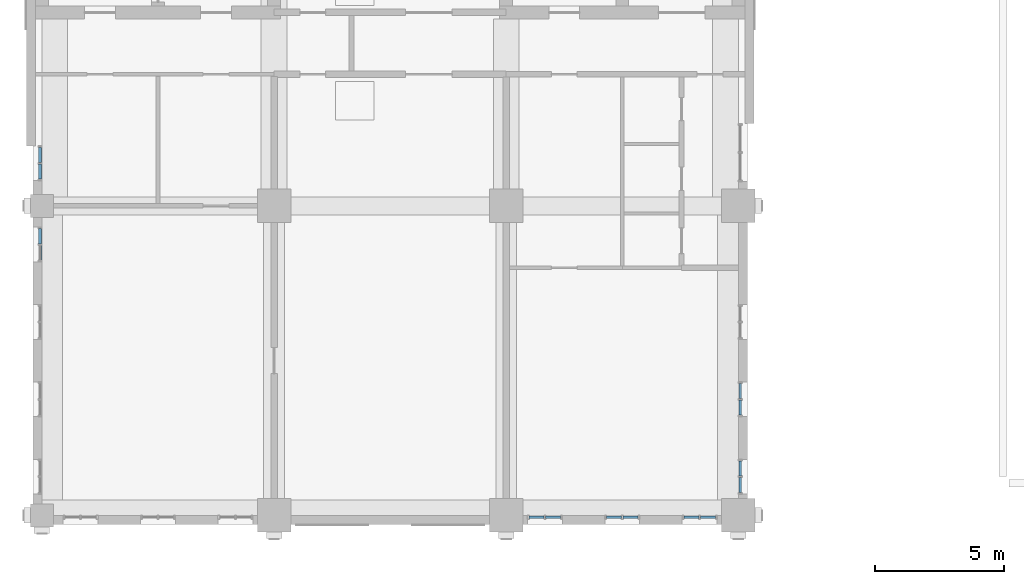
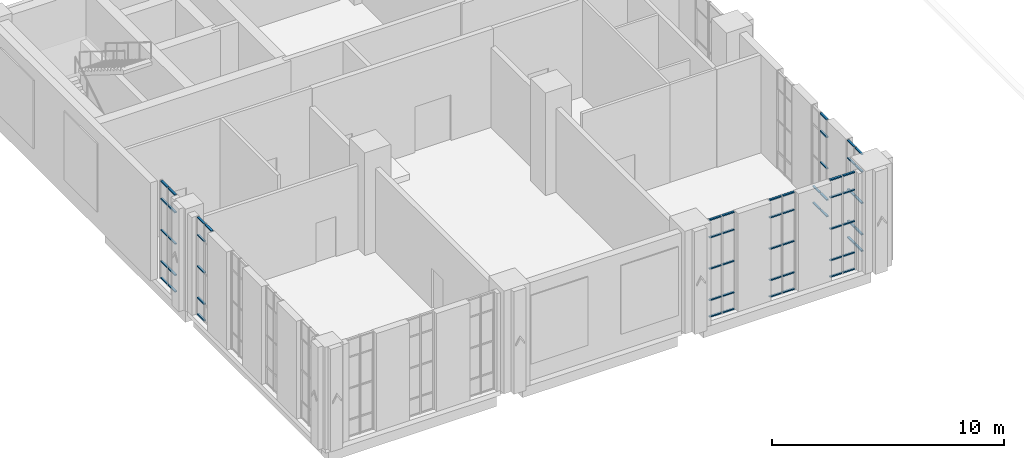
# One storey, part 10 of 37: 63 members, 7 elements without a shape of their own.
"""IFC4 building model written with IfcOpenShell, lengths in metres."""

from ifc_helpers import new_model, si_unit, direction, frame, origin, origin_2d, place, context, subcontext, project, spatial, rectangle, extrude, material, layer, layer_set, material_profile, profile_set, type_object, element, aggregate, save


model = new_model("IFC4")

# Units and contexts
model_context = context("Model", 3, precision=1e-05, world=origin(), true_north=direction((0.0, 1.0)))
body_context = subcontext(model_context, "Body", "Model", "MODEL_VIEW")
ifc_project = project(units=[si_unit("LENGTHUNIT", "METRE"), si_unit("AREAUNIT", "SQUARE_METRE"), si_unit("VOLUMEUNIT", "CUBIC_METRE"), si_unit("PLANEANGLEUNIT", "RADIAN"), si_unit("MASSUNIT", "GRAM", prefix="KILO")], contexts=[model_context])

# Site, building, storey
site_placement = place(None, origin())
site = spatial("IfcSite", under=ifc_project, at=site_placement, CompositionType="ELEMENT")
building_placement = place(site_placement, origin())
building = spatial("IfcBuilding", under=site, at=building_placement, Name="Aurelan Courthouse", CompositionType="ELEMENT")
storey_placement = place(building_placement, frame((0.0, 0.0, 17.39990234375)))
storey = spatial("IfcBuildingStorey", under=building, at=storey_placement, Name="L03", CompositionType="ELEMENT", Elevation=17.39990234375)

# Curtain wall, members
ifc_material_1 = material(Name="Bronze-finished aluminium and glass", Category="aluminium")
ifc_layer = layer(ifc_material_1, 0.14990234375)
ifc_layer_set = layer_set([ifc_layer], Name="Bronze-finished aluminium and glass")
curtain_wall_type = type_object("IfcCurtainWallType", Name="Curtain wall 1350 x 5150", PredefinedType="NOTDEFINED", material=ifc_layer_set)
curtain_wall_1_placement = place(storey_placement, origin())
curtain_wall_1 = element("IfcCurtainWall", 1, at=curtain_wall_1_placement, inside=storey, type_object=curtain_wall_type, Name="Curtain wall CW-V5-L03-S04", PredefinedType="NOTDEFINED")
ifc_material_2 = material(Name="Bronze-finished aluminium", Category="aluminium")
ifc_material_profile = material_profile(ifc_material_2, rectangle(XDim=0.10009765625, YDim=0.06005859375, at=origin_2d()), Name="Bronze transom 60 x 100")
ifc_profile_set = profile_set([ifc_material_profile], Name="Bronze-finished aluminium")
member_type = type_object("IfcMemberType", Name="Curtain wall transom 60 x 100", PredefinedType="USERDEFINED", material=ifc_profile_set)
member_1_placement = place(storey_placement, frame((18.885009765625, -0.074951171875, 0.030029296875), z_axis=(1.0, 0.0, 0.0), x_axis=(0.0, 1.0, 0.0)))
member_1 = element("IfcMember", 2, at=member_1_placement, type_object=member_type, Name="CW-V5-L03-S04 transom 1.1", ObjectType="TRANSOM", PredefinedType="USERDEFINED", context=body_context, shape_type="SweptSolid", body=[
    extrude(rectangle(XDim=0.10009765625, YDim=0.06005859375, at=origin_2d()), origin(), (0.0, 0.0, 1.0), 0.5849609375),
])
member_2_placement = place(storey_placement, frame((18.885009765625, -0.074951171875, 0.900146484375), z_axis=(1.0, 0.0, 0.0), x_axis=(0.0, 1.0, 0.0)))
member_2 = element("IfcMember", 3, at=member_2_placement, type_object=member_type, Name="CW-V5-L03-S04 transom 1.2", ObjectType="TRANSOM", PredefinedType="USERDEFINED", context=body_context, shape_type="SweptSolid", body=[
    extrude(rectangle(XDim=0.10009765625, YDim=0.06005859375, at=origin_2d()), origin(), (0.0, 0.0, 1.0), 0.5849609375),
])
member_3_placement = place(storey_placement, frame((18.885009765625, -0.074951171875, 2.550048828125), z_axis=(1.0, 0.0, 0.0), x_axis=(0.0, 1.0, 0.0)))
member_3 = element("IfcMember", 4, at=member_3_placement, type_object=member_type, Name="CW-V5-L03-S04 transom 1.3", ObjectType="TRANSOM", PredefinedType="USERDEFINED", context=body_context, shape_type="SweptSolid", body=[
    extrude(rectangle(XDim=0.10009765625, YDim=0.06005859375, at=origin_2d()), origin(), (0.0, 0.0, 1.0), 0.5849609375),
])
member_4_placement = place(storey_placement, frame((18.885009765625, -0.074951171875, 4.2001953125), z_axis=(1.0, 0.0, 0.0), x_axis=(0.0, 1.0, 0.0)))
member_4 = element("IfcMember", 5, at=member_4_placement, type_object=member_type, Name="CW-V5-L03-S04 transom 1.4", ObjectType="TRANSOM", PredefinedType="USERDEFINED", context=body_context, shape_type="SweptSolid", body=[
    extrude(rectangle(XDim=0.10009765625, YDim=0.06005859375, at=origin_2d()), origin(), (0.0, 0.0, 1.0), 0.5849609375),
])
member_5_placement = place(storey_placement, frame((18.885009765625, -0.074951171875, 5.1201171875), z_axis=(1.0, 0.0, 0.0), x_axis=(0.0, 1.0, 0.0)))
member_5 = element("IfcMember", 6, at=member_5_placement, type_object=member_type, Name="CW-V5-L03-S04 transom 1.5", ObjectType="TRANSOM", PredefinedType="USERDEFINED", context=body_context, shape_type="SweptSolid", body=[
    extrude(rectangle(XDim=0.10009765625, YDim=0.06005859375, at=origin_2d()), origin(), (0.0, 0.0, 1.0), 0.5849609375),
])
member_6_placement = place(storey_placement, frame((19.530029296875, -0.074951171875, 0.030029296875), z_axis=(1.0, 0.0, 0.0), x_axis=(0.0, 1.0, 0.0)))
member_6 = element("IfcMember", 7, at=member_6_placement, type_object=member_type, Name="CW-V5-L03-S04 transom 2.1", ObjectType="TRANSOM", PredefinedType="USERDEFINED", context=body_context, shape_type="SweptSolid", body=[
    extrude(rectangle(XDim=0.10009765625, YDim=0.06005859375, at=origin_2d()), origin(), (0.0, 0.0, 1.0), 0.5849609375),
])
member_7_placement = place(storey_placement, frame((19.530029296875, -0.074951171875, 0.900146484375), z_axis=(1.0, 0.0, 0.0), x_axis=(0.0, 1.0, 0.0)))
member_7 = element("IfcMember", 8, at=member_7_placement, type_object=member_type, Name="CW-V5-L03-S04 transom 2.2", ObjectType="TRANSOM", PredefinedType="USERDEFINED", context=body_context, shape_type="SweptSolid", body=[
    extrude(rectangle(XDim=0.10009765625, YDim=0.06005859375, at=origin_2d()), origin(), (0.0, 0.0, 1.0), 0.5849609375),
])
member_8_placement = place(storey_placement, frame((19.530029296875, -0.074951171875, 2.550048828125), z_axis=(1.0, 0.0, 0.0), x_axis=(0.0, 1.0, 0.0)))
member_8 = element("IfcMember", 9, at=member_8_placement, type_object=member_type, Name="CW-V5-L03-S04 transom 2.3", ObjectType="TRANSOM", PredefinedType="USERDEFINED", context=body_context, shape_type="SweptSolid", body=[
    extrude(rectangle(XDim=0.10009765625, YDim=0.06005859375, at=origin_2d()), origin(), (0.0, 0.0, 1.0), 0.5849609375),
])
member_9_placement = place(storey_placement, frame((19.530029296875, -0.074951171875, 4.2001953125), z_axis=(1.0, 0.0, 0.0), x_axis=(0.0, 1.0, 0.0)))
member_9 = element("IfcMember", 10, at=member_9_placement, type_object=member_type, Name="CW-V5-L03-S04 transom 2.4", ObjectType="TRANSOM", PredefinedType="USERDEFINED", context=body_context, shape_type="SweptSolid", body=[
    extrude(rectangle(XDim=0.10009765625, YDim=0.06005859375, at=origin_2d()), origin(), (0.0, 0.0, 1.0), 0.5849609375),
])
member_10_placement = place(storey_placement, frame((19.530029296875, -0.074951171875, 5.1201171875), z_axis=(1.0, 0.0, 0.0), x_axis=(0.0, 1.0, 0.0)))
member_10 = element("IfcMember", 11, at=member_10_placement, type_object=member_type, Name="CW-V5-L03-S04 transom 2.5", ObjectType="TRANSOM", PredefinedType="USERDEFINED", context=body_context, shape_type="SweptSolid", body=[
    extrude(rectangle(XDim=0.10009765625, YDim=0.06005859375, at=origin_2d()), origin(), (0.0, 0.0, 1.0), 0.5849609375),
])
aggregate(curtain_wall_1, [member_1, member_2, member_3, member_4, member_5, member_6, member_7, member_8, member_9, member_10])

curtain_wall_2_placement = place(storey_placement, origin())
curtain_wall_2 = element("IfcCurtainWall", 12, at=curtain_wall_2_placement, inside=storey, type_object=curtain_wall_type, Name="Curtain wall CW-V5-L03-S05", PredefinedType="NOTDEFINED")
member_11_placement = place(storey_placement, frame((21.885009765625, -0.074951171875, 0.030029296875), z_axis=(1.0, 0.0, 0.0), x_axis=(0.0, 1.0, 0.0)))
member_11 = element("IfcMember", 13, at=member_11_placement, type_object=member_type, Name="CW-V5-L03-S05 transom 1.1", ObjectType="TRANSOM", PredefinedType="USERDEFINED", context=body_context, shape_type="SweptSolid", body=[
    extrude(rectangle(XDim=0.10009765625, YDim=0.06005859375, at=origin_2d()), origin(), (0.0, 0.0, 1.0), 0.5849609375),
])
member_12_placement = place(storey_placement, frame((21.885009765625, -0.074951171875, 0.900146484375), z_axis=(1.0, 0.0, 0.0), x_axis=(0.0, 1.0, 0.0)))
member_12 = element("IfcMember", 14, at=member_12_placement, type_object=member_type, Name="CW-V5-L03-S05 transom 1.2", ObjectType="TRANSOM", PredefinedType="USERDEFINED", context=body_context, shape_type="SweptSolid", body=[
    extrude(rectangle(XDim=0.10009765625, YDim=0.06005859375, at=origin_2d()), origin(), (0.0, 0.0, 1.0), 0.5849609375),
])
member_13_placement = place(storey_placement, frame((21.885009765625, -0.074951171875, 2.550048828125), z_axis=(1.0, 0.0, 0.0), x_axis=(0.0, 1.0, 0.0)))
member_13 = element("IfcMember", 15, at=member_13_placement, type_object=member_type, Name="CW-V5-L03-S05 transom 1.3", ObjectType="TRANSOM", PredefinedType="USERDEFINED", context=body_context, shape_type="SweptSolid", body=[
    extrude(rectangle(XDim=0.10009765625, YDim=0.06005859375, at=origin_2d()), origin(), (0.0, 0.0, 1.0), 0.5849609375),
])
member_14_placement = place(storey_placement, frame((21.885009765625, -0.074951171875, 4.2001953125), z_axis=(1.0, 0.0, 0.0), x_axis=(0.0, 1.0, 0.0)))
member_14 = element("IfcMember", 16, at=member_14_placement, type_object=member_type, Name="CW-V5-L03-S05 transom 1.4", ObjectType="TRANSOM", PredefinedType="USERDEFINED", context=body_context, shape_type="SweptSolid", body=[
    extrude(rectangle(XDim=0.10009765625, YDim=0.06005859375, at=origin_2d()), origin(), (0.0, 0.0, 1.0), 0.5849609375),
])
member_15_placement = place(storey_placement, frame((21.885009765625, -0.074951171875, 5.1201171875), z_axis=(1.0, 0.0, 0.0), x_axis=(0.0, 1.0, 0.0)))
member_15 = element("IfcMember", 17, at=member_15_placement, type_object=member_type, Name="CW-V5-L03-S05 transom 1.5", ObjectType="TRANSOM", PredefinedType="USERDEFINED", context=body_context, shape_type="SweptSolid", body=[
    extrude(rectangle(XDim=0.10009765625, YDim=0.06005859375, at=origin_2d()), origin(), (0.0, 0.0, 1.0), 0.5849609375),
])
member_16_placement = place(storey_placement, frame((22.530029296875, -0.074951171875, 0.030029296875), z_axis=(1.0, 0.0, 0.0), x_axis=(0.0, 1.0, 0.0)))
member_16 = element("IfcMember", 18, at=member_16_placement, type_object=member_type, Name="CW-V5-L03-S05 transom 2.1", ObjectType="TRANSOM", PredefinedType="USERDEFINED", context=body_context, shape_type="SweptSolid", body=[
    extrude(rectangle(XDim=0.10009765625, YDim=0.06005859375, at=origin_2d()), origin(), (0.0, 0.0, 1.0), 0.5849609375),
])
member_17_placement = place(storey_placement, frame((22.530029296875, -0.074951171875, 0.900146484375), z_axis=(1.0, 0.0, 0.0), x_axis=(0.0, 1.0, 0.0)))
member_17 = element("IfcMember", 19, at=member_17_placement, type_object=member_type, Name="CW-V5-L03-S05 transom 2.2", ObjectType="TRANSOM", PredefinedType="USERDEFINED", context=body_context, shape_type="SweptSolid", body=[
    extrude(rectangle(XDim=0.10009765625, YDim=0.06005859375, at=origin_2d()), origin(), (0.0, 0.0, 1.0), 0.5849609375),
])
member_18_placement = place(storey_placement, frame((22.530029296875, -0.074951171875, 2.550048828125), z_axis=(1.0, 0.0, 0.0), x_axis=(0.0, 1.0, 0.0)))
member_18 = element("IfcMember", 20, at=member_18_placement, type_object=member_type, Name="CW-V5-L03-S05 transom 2.3", ObjectType="TRANSOM", PredefinedType="USERDEFINED", context=body_context, shape_type="SweptSolid", body=[
    extrude(rectangle(XDim=0.10009765625, YDim=0.06005859375, at=origin_2d()), origin(), (0.0, 0.0, 1.0), 0.5849609375),
])
member_19_placement = place(storey_placement, frame((22.530029296875, -0.074951171875, 4.2001953125), z_axis=(1.0, 0.0, 0.0), x_axis=(0.0, 1.0, 0.0)))
member_19 = element("IfcMember", 21, at=member_19_placement, type_object=member_type, Name="CW-V5-L03-S05 transom 2.4", ObjectType="TRANSOM", PredefinedType="USERDEFINED", context=body_context, shape_type="SweptSolid", body=[
    extrude(rectangle(XDim=0.10009765625, YDim=0.06005859375, at=origin_2d()), origin(), (0.0, 0.0, 1.0), 0.5849609375),
])
member_20_placement = place(storey_placement, frame((22.530029296875, -0.074951171875, 5.1201171875), z_axis=(1.0, 0.0, 0.0), x_axis=(0.0, 1.0, 0.0)))
member_20 = element("IfcMember", 22, at=member_20_placement, type_object=member_type, Name="CW-V5-L03-S05 transom 2.5", ObjectType="TRANSOM", PredefinedType="USERDEFINED", context=body_context, shape_type="SweptSolid", body=[
    extrude(rectangle(XDim=0.10009765625, YDim=0.06005859375, at=origin_2d()), origin(), (0.0, 0.0, 1.0), 0.5849609375),
])
aggregate(curtain_wall_2, [member_11, member_12, member_13, member_14, member_15, member_16, member_17, member_18, member_19, member_20])

curtain_wall_3_placement = place(storey_placement, origin())
curtain_wall_3 = element("IfcCurtainWall", 23, at=curtain_wall_3_placement, inside=storey, type_object=curtain_wall_type, Name="Curtain wall CW-V5-L03-S06", PredefinedType="NOTDEFINED")
member_21_placement = place(storey_placement, frame((24.885009765625, -0.074951171875, 0.030029296875), z_axis=(1.0, 0.0, 0.0), x_axis=(0.0, 1.0, 0.0)))
member_21 = element("IfcMember", 24, at=member_21_placement, type_object=member_type, Name="CW-V5-L03-S06 transom 1.1", ObjectType="TRANSOM", PredefinedType="USERDEFINED", context=body_context, shape_type="SweptSolid", body=[
    extrude(rectangle(XDim=0.10009765625, YDim=0.06005859375, at=origin_2d()), origin(), (0.0, 0.0, 1.0), 0.5849609375),
])
member_22_placement = place(storey_placement, frame((24.885009765625, -0.074951171875, 0.900146484375), z_axis=(1.0, 0.0, 0.0), x_axis=(0.0, 1.0, 0.0)))
member_22 = element("IfcMember", 25, at=member_22_placement, type_object=member_type, Name="CW-V5-L03-S06 transom 1.2", ObjectType="TRANSOM", PredefinedType="USERDEFINED", context=body_context, shape_type="SweptSolid", body=[
    extrude(rectangle(XDim=0.10009765625, YDim=0.06005859375, at=origin_2d()), origin(), (0.0, 0.0, 1.0), 0.5849609375),
])
member_23_placement = place(storey_placement, frame((24.885009765625, -0.074951171875, 2.550048828125), z_axis=(1.0, 0.0, 0.0), x_axis=(0.0, 1.0, 0.0)))
member_23 = element("IfcMember", 26, at=member_23_placement, type_object=member_type, Name="CW-V5-L03-S06 transom 1.3", ObjectType="TRANSOM", PredefinedType="USERDEFINED", context=body_context, shape_type="SweptSolid", body=[
    extrude(rectangle(XDim=0.10009765625, YDim=0.06005859375, at=origin_2d()), origin(), (0.0, 0.0, 1.0), 0.5849609375),
])
member_24_placement = place(storey_placement, frame((24.885009765625, -0.074951171875, 4.2001953125), z_axis=(1.0, 0.0, 0.0), x_axis=(0.0, 1.0, 0.0)))
member_24 = element("IfcMember", 27, at=member_24_placement, type_object=member_type, Name="CW-V5-L03-S06 transom 1.4", ObjectType="TRANSOM", PredefinedType="USERDEFINED", context=body_context, shape_type="SweptSolid", body=[
    extrude(rectangle(XDim=0.10009765625, YDim=0.06005859375, at=origin_2d()), origin(), (0.0, 0.0, 1.0), 0.5849609375),
])
member_25_placement = place(storey_placement, frame((24.885009765625, -0.074951171875, 5.1201171875), z_axis=(1.0, 0.0, 0.0), x_axis=(0.0, 1.0, 0.0)))
member_25 = element("IfcMember", 28, at=member_25_placement, type_object=member_type, Name="CW-V5-L03-S06 transom 1.5", ObjectType="TRANSOM", PredefinedType="USERDEFINED", context=body_context, shape_type="SweptSolid", body=[
    extrude(rectangle(XDim=0.10009765625, YDim=0.06005859375, at=origin_2d()), origin(), (0.0, 0.0, 1.0), 0.5849609375),
])
member_26_placement = place(storey_placement, frame((25.530029296875, -0.074951171875, 0.030029296875), z_axis=(1.0, 0.0, 0.0), x_axis=(0.0, 1.0, 0.0)))
member_26 = element("IfcMember", 29, at=member_26_placement, type_object=member_type, Name="CW-V5-L03-S06 transom 2.1", ObjectType="TRANSOM", PredefinedType="USERDEFINED", context=body_context, shape_type="SweptSolid", body=[
    extrude(rectangle(XDim=0.10009765625, YDim=0.06005859375, at=origin_2d()), origin(), (0.0, 0.0, 1.0), 0.5849609375),
])
member_27_placement = place(storey_placement, frame((25.530029296875, -0.074951171875, 0.900146484375), z_axis=(1.0, 0.0, 0.0), x_axis=(0.0, 1.0, 0.0)))
member_27 = element("IfcMember", 30, at=member_27_placement, type_object=member_type, Name="CW-V5-L03-S06 transom 2.2", ObjectType="TRANSOM", PredefinedType="USERDEFINED", context=body_context, shape_type="SweptSolid", body=[
    extrude(rectangle(XDim=0.10009765625, YDim=0.06005859375, at=origin_2d()), origin(), (0.0, 0.0, 1.0), 0.5849609375),
])
member_28_placement = place(storey_placement, frame((25.530029296875, -0.074951171875, 2.550048828125), z_axis=(1.0, 0.0, 0.0), x_axis=(0.0, 1.0, 0.0)))
member_28 = element("IfcMember", 31, at=member_28_placement, type_object=member_type, Name="CW-V5-L03-S06 transom 2.3", ObjectType="TRANSOM", PredefinedType="USERDEFINED", context=body_context, shape_type="SweptSolid", body=[
    extrude(rectangle(XDim=0.10009765625, YDim=0.06005859375, at=origin_2d()), origin(), (0.0, 0.0, 1.0), 0.5849609375),
])
member_29_placement = place(storey_placement, frame((25.530029296875, -0.074951171875, 4.2001953125), z_axis=(1.0, 0.0, 0.0), x_axis=(0.0, 1.0, 0.0)))
member_29 = element("IfcMember", 32, at=member_29_placement, type_object=member_type, Name="CW-V5-L03-S06 transom 2.4", ObjectType="TRANSOM", PredefinedType="USERDEFINED", context=body_context, shape_type="SweptSolid", body=[
    extrude(rectangle(XDim=0.10009765625, YDim=0.06005859375, at=origin_2d()), origin(), (0.0, 0.0, 1.0), 0.5849609375),
])
member_30_placement = place(storey_placement, frame((25.530029296875, -0.074951171875, 5.1201171875), z_axis=(1.0, 0.0, 0.0), x_axis=(0.0, 1.0, 0.0)))
member_30 = element("IfcMember", 33, at=member_30_placement, type_object=member_type, Name="CW-V5-L03-S06 transom 2.5", ObjectType="TRANSOM", PredefinedType="USERDEFINED", context=body_context, shape_type="SweptSolid", body=[
    extrude(rectangle(XDim=0.10009765625, YDim=0.06005859375, at=origin_2d()), origin(), (0.0, 0.0, 1.0), 0.5849609375),
])
aggregate(curtain_wall_3, [member_21, member_22, member_23, member_24, member_25, member_26, member_27, member_28, member_29, member_30])

curtain_wall_4_placement = place(storey_placement, origin())
curtain_wall_4 = element("IfcCurtainWall", 34, at=curtain_wall_4_placement, inside=storey, type_object=curtain_wall_type, Name="Curtain wall CW-V5-L03-E01", PredefinedType="NOTDEFINED")
member_31_placement = place(storey_placement, frame((27.074951171875, 0.885009765625, 0.030029296875), z_axis=(0.0, 1.0, 0.0), x_axis=(-1.0, 0.0, 0.0)))
member_31 = element("IfcMember", 35, at=member_31_placement, type_object=member_type, Name="CW-V5-L03-E01 transom 1.1", ObjectType="TRANSOM", PredefinedType="USERDEFINED", context=body_context, shape_type="SweptSolid", body=[
    extrude(rectangle(XDim=0.10009765625, YDim=0.06005859375, at=origin_2d()), origin(), (0.0, 0.0, 1.0), 0.5849609375),
])
member_32_placement = place(storey_placement, frame((27.074951171875, 0.885009765625, 0.900146484375), z_axis=(0.0, 1.0, 0.0), x_axis=(-1.0, 0.0, 0.0)))
member_32 = element("IfcMember", 36, at=member_32_placement, type_object=member_type, Name="CW-V5-L03-E01 transom 1.2", ObjectType="TRANSOM", PredefinedType="USERDEFINED", context=body_context, shape_type="SweptSolid", body=[
    extrude(rectangle(XDim=0.10009765625, YDim=0.06005859375, at=origin_2d()), origin(), (0.0, 0.0, 1.0), 0.5849609375),
])
member_33_placement = place(storey_placement, frame((27.074951171875, 0.885009765625, 2.550048828125), z_axis=(0.0, 1.0, 0.0), x_axis=(-1.0, 0.0, 0.0)))
member_33 = element("IfcMember", 37, at=member_33_placement, type_object=member_type, Name="CW-V5-L03-E01 transom 1.3", ObjectType="TRANSOM", PredefinedType="USERDEFINED", context=body_context, shape_type="SweptSolid", body=[
    extrude(rectangle(XDim=0.10009765625, YDim=0.06005859375, at=origin_2d()), origin(), (0.0, 0.0, 1.0), 0.5849609375),
])
member_34_placement = place(storey_placement, frame((27.074951171875, 0.885009765625, 4.2001953125), z_axis=(0.0, 1.0, 0.0), x_axis=(-1.0, 0.0, 0.0)))
member_34 = element("IfcMember", 38, at=member_34_placement, type_object=member_type, Name="CW-V5-L03-E01 transom 1.4", ObjectType="TRANSOM", PredefinedType="USERDEFINED", context=body_context, shape_type="SweptSolid", body=[
    extrude(rectangle(XDim=0.10009765625, YDim=0.06005859375, at=origin_2d()), origin(), (0.0, 0.0, 1.0), 0.5849609375),
])
member_35_placement = place(storey_placement, frame((27.074951171875, 0.885009765625, 5.1201171875), z_axis=(0.0, 1.0, 0.0), x_axis=(-1.0, 0.0, 0.0)))
member_35 = element("IfcMember", 39, at=member_35_placement, type_object=member_type, Name="CW-V5-L03-E01 transom 1.5", ObjectType="TRANSOM", PredefinedType="USERDEFINED", context=body_context, shape_type="SweptSolid", body=[
    extrude(rectangle(XDim=0.10009765625, YDim=0.06005859375, at=origin_2d()), origin(), (0.0, 0.0, 1.0), 0.5849609375),
])
member_36_placement = place(storey_placement, frame((27.074951171875, 1.530029296875, 0.030029296875), z_axis=(0.0, 1.0, 0.0), x_axis=(-1.0, 0.0, 0.0)))
member_36 = element("IfcMember", 40, at=member_36_placement, type_object=member_type, Name="CW-V5-L03-E01 transom 2.1", ObjectType="TRANSOM", PredefinedType="USERDEFINED", context=body_context, shape_type="SweptSolid", body=[
    extrude(rectangle(XDim=0.10009765625, YDim=0.06005859375, at=origin_2d()), origin(), (0.0, 0.0, 1.0), 0.5849609375),
])
member_37_placement = place(storey_placement, frame((27.074951171875, 1.530029296875, 0.900146484375), z_axis=(0.0, 1.0, 0.0), x_axis=(-1.0, 0.0, 0.0)))
member_37 = element("IfcMember", 41, at=member_37_placement, type_object=member_type, Name="CW-V5-L03-E01 transom 2.2", ObjectType="TRANSOM", PredefinedType="USERDEFINED", context=body_context, shape_type="SweptSolid", body=[
    extrude(rectangle(XDim=0.10009765625, YDim=0.06005859375, at=origin_2d()), origin(), (0.0, 0.0, 1.0), 0.5849609375),
])
member_38_placement = place(storey_placement, frame((27.074951171875, 1.530029296875, 2.550048828125), z_axis=(0.0, 1.0, 0.0), x_axis=(-1.0, 0.0, 0.0)))
member_38 = element("IfcMember", 42, at=member_38_placement, type_object=member_type, Name="CW-V5-L03-E01 transom 2.3", ObjectType="TRANSOM", PredefinedType="USERDEFINED", context=body_context, shape_type="SweptSolid", body=[
    extrude(rectangle(XDim=0.10009765625, YDim=0.06005859375, at=origin_2d()), origin(), (0.0, 0.0, 1.0), 0.5849609375),
])
member_39_placement = place(storey_placement, frame((27.074951171875, 1.530029296875, 4.2001953125), z_axis=(0.0, 1.0, 0.0), x_axis=(-1.0, 0.0, 0.0)))
member_39 = element("IfcMember", 43, at=member_39_placement, type_object=member_type, Name="CW-V5-L03-E01 transom 2.4", ObjectType="TRANSOM", PredefinedType="USERDEFINED", context=body_context, shape_type="SweptSolid", body=[
    extrude(rectangle(XDim=0.10009765625, YDim=0.06005859375, at=origin_2d()), origin(), (0.0, 0.0, 1.0), 0.5849609375),
])
member_40_placement = place(storey_placement, frame((27.074951171875, 1.530029296875, 5.1201171875), z_axis=(0.0, 1.0, 0.0), x_axis=(-1.0, 0.0, 0.0)))
member_40 = element("IfcMember", 44, at=member_40_placement, type_object=member_type, Name="CW-V5-L03-E01 transom 2.5", ObjectType="TRANSOM", PredefinedType="USERDEFINED", context=body_context, shape_type="SweptSolid", body=[
    extrude(rectangle(XDim=0.10009765625, YDim=0.06005859375, at=origin_2d()), origin(), (0.0, 0.0, 1.0), 0.5849609375),
])
aggregate(curtain_wall_4, [member_31, member_32, member_33, member_34, member_35, member_36, member_37, member_38, member_39, member_40])

curtain_wall_5_placement = place(storey_placement, origin())
curtain_wall_5 = element("IfcCurtainWall", 45, at=curtain_wall_5_placement, inside=storey, type_object=curtain_wall_type, Name="Curtain wall CW-V5-L03-E02", PredefinedType="NOTDEFINED")
member_41_placement = place(storey_placement, frame((27.074951171875, 3.885009765625, 0.030029296875), z_axis=(0.0, 1.0, 0.0), x_axis=(-1.0, 0.0, 0.0)))
member_41 = element("IfcMember", 46, at=member_41_placement, type_object=member_type, Name="CW-V5-L03-E02 transom 1.1", ObjectType="TRANSOM", PredefinedType="USERDEFINED", context=body_context, shape_type="SweptSolid", body=[
    extrude(rectangle(XDim=0.10009765625, YDim=0.06005859375, at=origin_2d()), origin(), (0.0, 0.0, 1.0), 0.5849609375),
])
member_42_placement = place(storey_placement, frame((27.074951171875, 3.885009765625, 0.900146484375), z_axis=(0.0, 1.0, 0.0), x_axis=(-1.0, 0.0, 0.0)))
member_42 = element("IfcMember", 47, at=member_42_placement, type_object=member_type, Name="CW-V5-L03-E02 transom 1.2", ObjectType="TRANSOM", PredefinedType="USERDEFINED", context=body_context, shape_type="SweptSolid", body=[
    extrude(rectangle(XDim=0.10009765625, YDim=0.06005859375, at=origin_2d()), origin(), (0.0, 0.0, 1.0), 0.5849609375),
])
member_43_placement = place(storey_placement, frame((27.074951171875, 3.885009765625, 2.550048828125), z_axis=(0.0, 1.0, 0.0), x_axis=(-1.0, 0.0, 0.0)))
member_43 = element("IfcMember", 48, at=member_43_placement, type_object=member_type, Name="CW-V5-L03-E02 transom 1.3", ObjectType="TRANSOM", PredefinedType="USERDEFINED", context=body_context, shape_type="SweptSolid", body=[
    extrude(rectangle(XDim=0.10009765625, YDim=0.06005859375, at=origin_2d()), origin(), (0.0, 0.0, 1.0), 0.5849609375),
])
member_44_placement = place(storey_placement, frame((27.074951171875, 3.885009765625, 4.2001953125), z_axis=(0.0, 1.0, 0.0), x_axis=(-1.0, 0.0, 0.0)))
member_44 = element("IfcMember", 49, at=member_44_placement, type_object=member_type, Name="CW-V5-L03-E02 transom 1.4", ObjectType="TRANSOM", PredefinedType="USERDEFINED", context=body_context, shape_type="SweptSolid", body=[
    extrude(rectangle(XDim=0.10009765625, YDim=0.06005859375, at=origin_2d()), origin(), (0.0, 0.0, 1.0), 0.5849609375),
])
member_45_placement = place(storey_placement, frame((27.074951171875, 3.885009765625, 5.1201171875), z_axis=(0.0, 1.0, 0.0), x_axis=(-1.0, 0.0, 0.0)))
member_45 = element("IfcMember", 50, at=member_45_placement, type_object=member_type, Name="CW-V5-L03-E02 transom 1.5", ObjectType="TRANSOM", PredefinedType="USERDEFINED", context=body_context, shape_type="SweptSolid", body=[
    extrude(rectangle(XDim=0.10009765625, YDim=0.06005859375, at=origin_2d()), origin(), (0.0, 0.0, 1.0), 0.5849609375),
])
member_46_placement = place(storey_placement, frame((27.074951171875, 4.530029296875, 0.030029296875), z_axis=(0.0, 1.0, 0.0), x_axis=(-1.0, 0.0, 0.0)))
member_46 = element("IfcMember", 51, at=member_46_placement, type_object=member_type, Name="CW-V5-L03-E02 transom 2.1", ObjectType="TRANSOM", PredefinedType="USERDEFINED", context=body_context, shape_type="SweptSolid", body=[
    extrude(rectangle(XDim=0.10009765625, YDim=0.06005859375, at=origin_2d()), origin(), (0.0, 0.0, 1.0), 0.5849609375),
])
member_47_placement = place(storey_placement, frame((27.074951171875, 4.530029296875, 0.900146484375), z_axis=(0.0, 1.0, 0.0), x_axis=(-1.0, 0.0, 0.0)))
member_47 = element("IfcMember", 52, at=member_47_placement, type_object=member_type, Name="CW-V5-L03-E02 transom 2.2", ObjectType="TRANSOM", PredefinedType="USERDEFINED", context=body_context, shape_type="SweptSolid", body=[
    extrude(rectangle(XDim=0.10009765625, YDim=0.06005859375, at=origin_2d()), origin(), (0.0, 0.0, 1.0), 0.5849609375),
])
aggregate(curtain_wall_5, [member_41, member_42, member_43, member_44, member_45, member_46, member_47])

curtain_wall_6_placement = place(storey_placement, origin())
curtain_wall_6 = element("IfcCurtainWall", 53, at=curtain_wall_6_placement, inside=storey, type_object=curtain_wall_type, Name="Curtain wall CW-V5-L03-W04", PredefinedType="NOTDEFINED")
member_48_placement = place(storey_placement, frame((-0.074951171875, 9.885009765625, 5.1201171875), z_axis=(0.0, 1.0, 0.0), x_axis=(-1.0, 0.0, 0.0)))
member_48 = element("IfcMember", 54, at=member_48_placement, type_object=member_type, Name="CW-V5-L03-W04 transom 1.5", ObjectType="TRANSOM", PredefinedType="USERDEFINED", context=body_context, shape_type="SweptSolid", body=[
    extrude(rectangle(XDim=0.10009765625, YDim=0.06005859375, at=origin_2d()), origin(), (0.0, 0.0, 1.0), 0.5849609375),
])
member_49_placement = place(storey_placement, frame((-0.074951171875, 10.530029296875, 0.030029296875), z_axis=(0.0, 1.0, 0.0), x_axis=(-1.0, 0.0, 0.0)))
member_49 = element("IfcMember", 55, at=member_49_placement, type_object=member_type, Name="CW-V5-L03-W04 transom 2.1", ObjectType="TRANSOM", PredefinedType="USERDEFINED", context=body_context, shape_type="SweptSolid", body=[
    extrude(rectangle(XDim=0.10009765625, YDim=0.06005859375, at=origin_2d()), origin(), (0.0, 0.0, 1.0), 0.5849609375),
])
member_50_placement = place(storey_placement, frame((-0.074951171875, 10.530029296875, 0.900146484375), z_axis=(0.0, 1.0, 0.0), x_axis=(-1.0, 0.0, 0.0)))
member_50 = element("IfcMember", 56, at=member_50_placement, type_object=member_type, Name="CW-V5-L03-W04 transom 2.2", ObjectType="TRANSOM", PredefinedType="USERDEFINED", context=body_context, shape_type="SweptSolid", body=[
    extrude(rectangle(XDim=0.10009765625, YDim=0.06005859375, at=origin_2d()), origin(), (0.0, 0.0, 1.0), 0.5849609375),
])
member_51_placement = place(storey_placement, frame((-0.074951171875, 10.530029296875, 2.550048828125), z_axis=(0.0, 1.0, 0.0), x_axis=(-1.0, 0.0, 0.0)))
member_51 = element("IfcMember", 57, at=member_51_placement, type_object=member_type, Name="CW-V5-L03-W04 transom 2.3", ObjectType="TRANSOM", PredefinedType="USERDEFINED", context=body_context, shape_type="SweptSolid", body=[
    extrude(rectangle(XDim=0.10009765625, YDim=0.06005859375, at=origin_2d()), origin(), (0.0, 0.0, 1.0), 0.5849609375),
])
member_52_placement = place(storey_placement, frame((-0.074951171875, 10.530029296875, 4.2001953125), z_axis=(0.0, 1.0, 0.0), x_axis=(-1.0, 0.0, 0.0)))
member_52 = element("IfcMember", 58, at=member_52_placement, type_object=member_type, Name="CW-V5-L03-W04 transom 2.4", ObjectType="TRANSOM", PredefinedType="USERDEFINED", context=body_context, shape_type="SweptSolid", body=[
    extrude(rectangle(XDim=0.10009765625, YDim=0.06005859375, at=origin_2d()), origin(), (0.0, 0.0, 1.0), 0.5849609375),
])
member_53_placement = place(storey_placement, frame((-0.074951171875, 10.530029296875, 5.1201171875), z_axis=(0.0, 1.0, 0.0), x_axis=(-1.0, 0.0, 0.0)))
member_53 = element("IfcMember", 59, at=member_53_placement, type_object=member_type, Name="CW-V5-L03-W04 transom 2.5", ObjectType="TRANSOM", PredefinedType="USERDEFINED", context=body_context, shape_type="SweptSolid", body=[
    extrude(rectangle(XDim=0.10009765625, YDim=0.06005859375, at=origin_2d()), origin(), (0.0, 0.0, 1.0), 0.5849609375),
])
aggregate(curtain_wall_6, [member_48, member_49, member_50, member_51, member_52, member_53])

curtain_wall_7_placement = place(storey_placement, origin())
curtain_wall_7 = element("IfcCurtainWall", 60, at=curtain_wall_7_placement, inside=storey, type_object=curtain_wall_type, Name="Curtain wall CW-V5-L03-W05", PredefinedType="NOTDEFINED")
member_54_placement = place(storey_placement, frame((-0.074951171875, 13.034912109375, 0.030029296875), z_axis=(0.0, 1.0, 0.0), x_axis=(-1.0, 0.0, 0.0)))
member_54 = element("IfcMember", 61, at=member_54_placement, type_object=member_type, Name="CW-V5-L03-W05 transom 1.1", ObjectType="TRANSOM", PredefinedType="USERDEFINED", context=body_context, shape_type="SweptSolid", body=[
    extrude(rectangle(XDim=0.10009765625, YDim=0.06005859375, at=origin_2d()), origin(), (0.0, 0.0, 1.0), 0.585205078125),
])
member_55_placement = place(storey_placement, frame((-0.074951171875, 13.034912109375, 0.900146484375), z_axis=(0.0, 1.0, 0.0), x_axis=(-1.0, 0.0, 0.0)))
member_55 = element("IfcMember", 62, at=member_55_placement, type_object=member_type, Name="CW-V5-L03-W05 transom 1.2", ObjectType="TRANSOM", PredefinedType="USERDEFINED", context=body_context, shape_type="SweptSolid", body=[
    extrude(rectangle(XDim=0.10009765625, YDim=0.06005859375, at=origin_2d()), origin(), (0.0, 0.0, 1.0), 0.585205078125),
])
member_56_placement = place(storey_placement, frame((-0.074951171875, 13.034912109375, 2.550048828125), z_axis=(0.0, 1.0, 0.0), x_axis=(-1.0, 0.0, 0.0)))
member_56 = element("IfcMember", 63, at=member_56_placement, type_object=member_type, Name="CW-V5-L03-W05 transom 1.3", ObjectType="TRANSOM", PredefinedType="USERDEFINED", context=body_context, shape_type="SweptSolid", body=[
    extrude(rectangle(XDim=0.10009765625, YDim=0.06005859375, at=origin_2d()), origin(), (0.0, 0.0, 1.0), 0.585205078125),
])
member_57_placement = place(storey_placement, frame((-0.074951171875, 13.034912109375, 4.2001953125), z_axis=(0.0, 1.0, 0.0), x_axis=(-1.0, 0.0, 0.0)))
member_57 = element("IfcMember", 64, at=member_57_placement, type_object=member_type, Name="CW-V5-L03-W05 transom 1.4", ObjectType="TRANSOM", PredefinedType="USERDEFINED", context=body_context, shape_type="SweptSolid", body=[
    extrude(rectangle(XDim=0.10009765625, YDim=0.06005859375, at=origin_2d()), origin(), (0.0, 0.0, 1.0), 0.585205078125),
])
member_58_placement = place(storey_placement, frame((-0.074951171875, 13.034912109375, 5.1201171875), z_axis=(0.0, 1.0, 0.0), x_axis=(-1.0, 0.0, 0.0)))
member_58 = element("IfcMember", 65, at=member_58_placement, type_object=member_type, Name="CW-V5-L03-W05 transom 1.5", ObjectType="TRANSOM", PredefinedType="USERDEFINED", context=body_context, shape_type="SweptSolid", body=[
    extrude(rectangle(XDim=0.10009765625, YDim=0.06005859375, at=origin_2d()), origin(), (0.0, 0.0, 1.0), 0.585205078125),
])
member_59_placement = place(storey_placement, frame((-0.074951171875, 13.679931640625, 0.030029296875), z_axis=(0.0, 1.0, 0.0), x_axis=(-1.0, 0.0, 0.0)))
member_59 = element("IfcMember", 66, at=member_59_placement, type_object=member_type, Name="CW-V5-L03-W05 transom 2.1", ObjectType="TRANSOM", PredefinedType="USERDEFINED", context=body_context, shape_type="SweptSolid", body=[
    extrude(rectangle(XDim=0.10009765625, YDim=0.06005859375, at=origin_2d()), origin(), (0.0, 0.0, 1.0), 0.5849609375),
])
member_60_placement = place(storey_placement, frame((-0.074951171875, 13.679931640625, 0.900146484375), z_axis=(0.0, 1.0, 0.0), x_axis=(-1.0, 0.0, 0.0)))
member_60 = element("IfcMember", 67, at=member_60_placement, type_object=member_type, Name="CW-V5-L03-W05 transom 2.2", ObjectType="TRANSOM", PredefinedType="USERDEFINED", context=body_context, shape_type="SweptSolid", body=[
    extrude(rectangle(XDim=0.10009765625, YDim=0.06005859375, at=origin_2d()), origin(), (0.0, 0.0, 1.0), 0.5849609375),
])
member_61_placement = place(storey_placement, frame((-0.074951171875, 13.679931640625, 2.550048828125), z_axis=(0.0, 1.0, 0.0), x_axis=(-1.0, 0.0, 0.0)))
member_61 = element("IfcMember", 68, at=member_61_placement, type_object=member_type, Name="CW-V5-L03-W05 transom 2.3", ObjectType="TRANSOM", PredefinedType="USERDEFINED", context=body_context, shape_type="SweptSolid", body=[
    extrude(rectangle(XDim=0.10009765625, YDim=0.06005859375, at=origin_2d()), origin(), (0.0, 0.0, 1.0), 0.5849609375),
])
member_62_placement = place(storey_placement, frame((-0.074951171875, 13.679931640625, 4.2001953125), z_axis=(0.0, 1.0, 0.0), x_axis=(-1.0, 0.0, 0.0)))
member_62 = element("IfcMember", 69, at=member_62_placement, type_object=member_type, Name="CW-V5-L03-W05 transom 2.4", ObjectType="TRANSOM", PredefinedType="USERDEFINED", context=body_context, shape_type="SweptSolid", body=[
    extrude(rectangle(XDim=0.10009765625, YDim=0.06005859375, at=origin_2d()), origin(), (0.0, 0.0, 1.0), 0.5849609375),
])
member_63_placement = place(storey_placement, frame((-0.074951171875, 13.679931640625, 5.1201171875), z_axis=(0.0, 1.0, 0.0), x_axis=(-1.0, 0.0, 0.0)))
member_63 = element("IfcMember", 70, at=member_63_placement, type_object=member_type, Name="CW-V5-L03-W05 transom 2.5", ObjectType="TRANSOM", PredefinedType="USERDEFINED", context=body_context, shape_type="SweptSolid", body=[
    extrude(rectangle(XDim=0.10009765625, YDim=0.06005859375, at=origin_2d()), origin(), (0.0, 0.0, 1.0), 0.5849609375),
])
aggregate(curtain_wall_7, [member_54, member_55, member_56, member_57, member_58, member_59, member_60, member_61, member_62, member_63])

save(model, "model.ifc")
